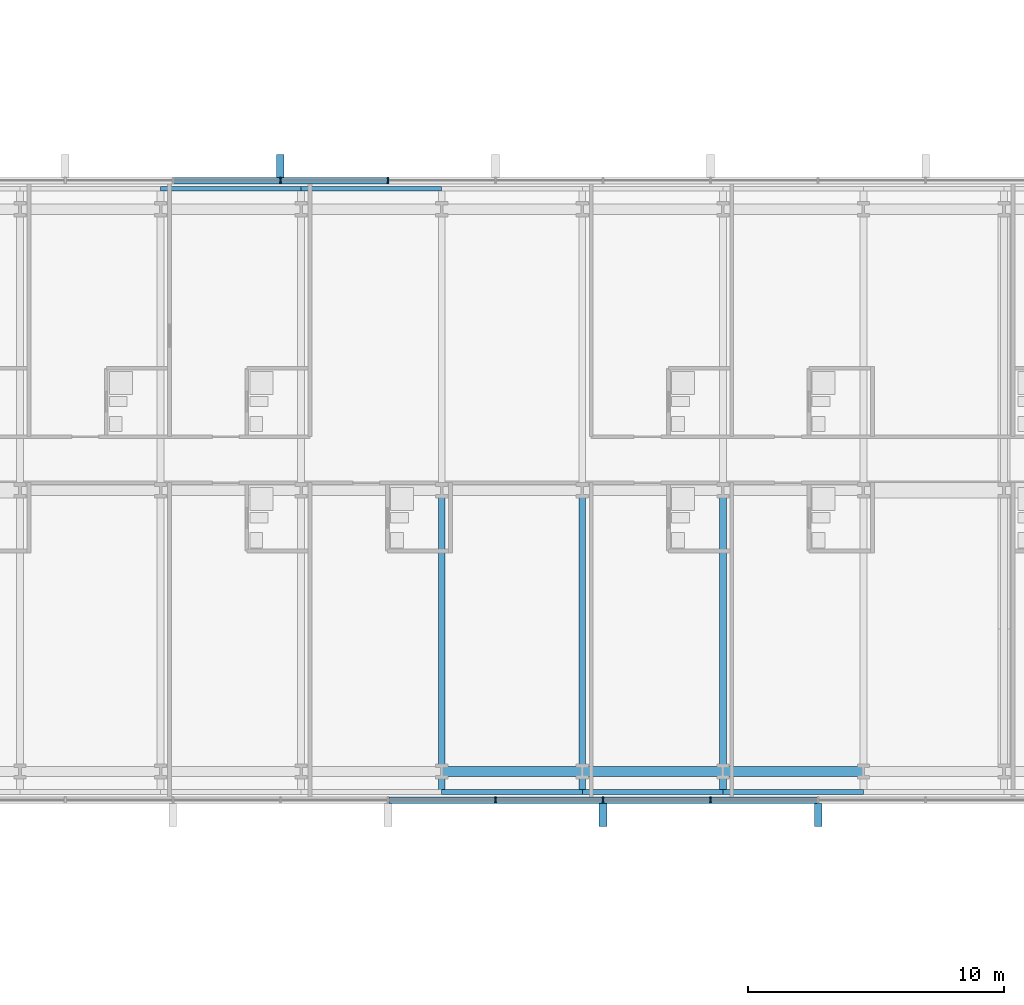
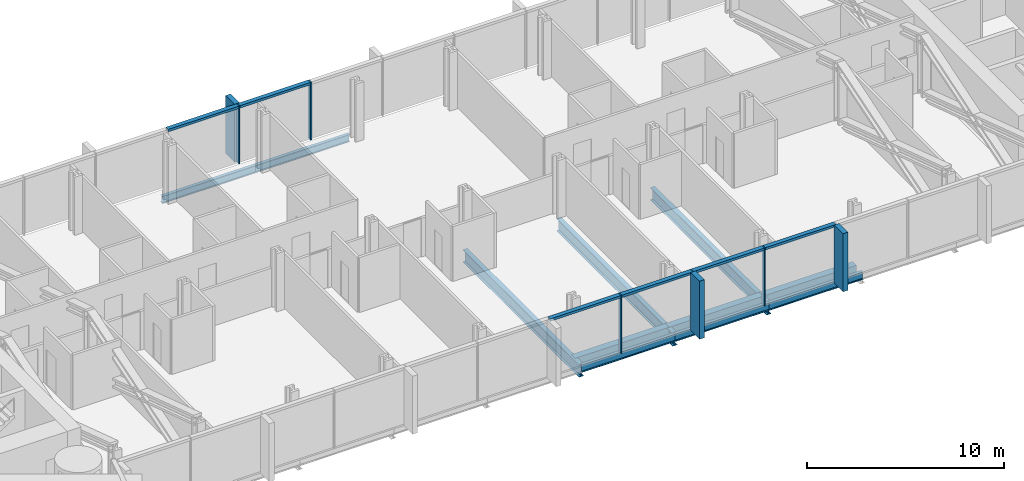
# One storey, part 6 of 22: 14 members, 11 beams, 2 elements without a shape of their own.
"""IFC4 building model written with IfcOpenShell, lengths in metres."""

from ifc_helpers import new_model, si_unit, direction, frame, origin, origin_2d, place, context, subcontext, project, spatial, rectangle, hollow_rectangle, i_section, extrude, material, material_profile, profile_set, type_object, element, aggregate, save


model = new_model("IFC4")

# Units and contexts
model_context = context("Model", 3, precision=1e-05, world=origin(), true_north=direction((0.0, 1.0)))
body_context = subcontext(model_context, "Body", "Model", "MODEL_VIEW")
ifc_project = project(units=[si_unit("LENGTHUNIT", "METRE"), si_unit("AREAUNIT", "SQUARE_METRE"), si_unit("VOLUMEUNIT", "CUBIC_METRE"), si_unit("PLANEANGLEUNIT", "RADIAN"), si_unit("MASSUNIT", "GRAM", prefix="KILO")], contexts=[model_context])

# Site, building, storey
site_placement = place(None, origin())
site = spatial("IfcSite", under=ifc_project, at=site_placement, CompositionType="ELEMENT")
building_placement = place(site_placement, origin())
building = spatial("IfcBuilding", under=site, at=building_placement, Name="Lancet Gate Hotel", CompositionType="ELEMENT")
storey_placement = place(building_placement, frame((0.0, 0.0, 229.699951171875)))
storey = spatial("IfcBuildingStorey", under=building, at=storey_placement, Name="L61", CompositionType="ELEMENT", Elevation=229.699951171875)

# Curtain wall, members
ifc_material_1 = material(Name="Aluminium curtain wall", Category="aluminium")
curtain_wall_type = type_object("IfcCurtainWallType", Name="Bridge block curtain wall", PredefinedType="USERDEFINED", material=ifc_material_1)
curtain_wall_1_placement = place(storey_placement, origin())
curtain_wall_1 = element("IfcCurtainWall", 1, at=curtain_wall_1_placement, inside=storey, type_object=curtain_wall_type, Name="Bridge block L61 curtain wall S", ObjectType="UNITISED CURTAIN WALL", PredefinedType="USERDEFINED")
ifc_material_2 = material(Name="Aluminium mullion", Category="aluminium")
ifc_material_profile_1 = material_profile(ifc_material_2, rectangle(XDim=0.06494140625, YDim=0.25, at=origin_2d()), Name="MULLION 65x250")
ifc_profile_set_1 = profile_set([ifc_material_profile_1], Name="Aluminium mullion")
member_type_1 = type_object("IfcMemberType", Name="Aluminium mullion 65x250", PredefinedType="MULLION", material=ifc_profile_set_1)
member_1_placement = place(storey_placement, frame((2.103759765625, -12.1201171875, 0.0), z_axis=(0.0, 0.0, 1.0), x_axis=(1.0, 0.0, 0.0)))
member_1 = element("IfcMember", 2, at=member_1_placement, type_object=member_type_1, Name="Bridge block L61 curtain wall S mullion 8", PredefinedType="MULLION", context=body_context, shape_type="SweptSolid", body=[
    extrude(rectangle(XDim=0.06494140625, YDim=0.25, at=origin_2d()), origin(), (0.0, 0.0, 1.0), 3.60009765625),
])
member_2_placement = place(storey_placement, frame((6.3115234375, -12.1201171875, 0.0), z_axis=(0.0, 0.0, 1.0), x_axis=(1.0, 0.0, 0.0)))
member_2 = element("IfcMember", 3, at=member_2_placement, type_object=member_type_1, Name="Bridge block L61 curtain wall S mullion 9", PredefinedType="MULLION", context=body_context, shape_type="SweptSolid", body=[
    extrude(rectangle(XDim=0.06494140625, YDim=0.25, at=origin_2d()), origin(), (0.0, 0.0, 1.0), 3.60009765625),
])
member_3_placement = place(storey_placement, frame((10.519287109375, -12.1201171875, 0.0), z_axis=(0.0, 0.0, 1.0), x_axis=(1.0, 0.0, 0.0)))
member_3 = element("IfcMember", 4, at=member_3_placement, type_object=member_type_1, Name="Bridge block L61 curtain wall S mullion 10", PredefinedType="MULLION", context=body_context, shape_type="SweptSolid", body=[
    extrude(rectangle(XDim=0.06494140625, YDim=0.25, at=origin_2d()), origin(), (0.0, 0.0, 1.0), 3.60009765625),
])

curtain_wall_2_placement = place(storey_placement, origin())
curtain_wall_2 = element("IfcCurtainWall", 5, at=curtain_wall_2_placement, inside=storey, type_object=curtain_wall_type, Name="Bridge block L61 curtain wall N", ObjectType="UNITISED CURTAIN WALL", PredefinedType="USERDEFINED")
member_4_placement = place(storey_placement, frame((-2.103759765625, 12.1201171875, 0.0), z_axis=(0.0, 0.0, 1.0), x_axis=(-1.0, 0.0, 0.0)))
member_4 = element("IfcMember", 6, at=member_4_placement, type_object=member_type_1, Name="Bridge block L61 curtain wall N mullion 8", PredefinedType="MULLION", context=body_context, shape_type="SweptSolid", body=[
    extrude(rectangle(XDim=0.06494140625, YDim=0.25, at=origin_2d()), origin(), (0.0, 0.0, 1.0), 3.60009765625),
])
member_5_placement = place(storey_placement, frame((-6.3115234375, 12.1201171875, 0.0), z_axis=(0.0, 0.0, 1.0), x_axis=(-1.0, 0.0, 0.0)))
member_5 = element("IfcMember", 7, at=member_5_placement, type_object=member_type_1, Name="Bridge block L61 curtain wall N mullion 9", PredefinedType="MULLION", context=body_context, shape_type="SweptSolid", body=[
    extrude(rectangle(XDim=0.06494140625, YDim=0.25, at=origin_2d()), origin(), (0.0, 0.0, 1.0), 3.60009765625),
])

# Member
ifc_material_3 = material(Name="Aluminium transom", Category="aluminium")
ifc_material_profile_2 = material_profile(ifc_material_3, rectangle(XDim=0.25, YDim=0.14990234375, at=origin_2d()), Name="TRANSOM 250x150")
ifc_profile_set_2 = profile_set([ifc_material_profile_2], Name="Aluminium transom")
member_type_2 = type_object("IfcMemberType", Name="Aluminium transom 250x150", PredefinedType="USERDEFINED", material=ifc_profile_set_2)
member_6_placement = place(storey_placement, frame((-2.0712890625, -12.1201171875, 3.525146484375), z_axis=(1.0, 0.0, 0.0), x_axis=(0.0, 1.0, 0.0)))
member_6 = element("IfcMember", 8, at=member_6_placement, type_object=member_type_2, Name="Bridge block L61 curtain wall S transom 7", ObjectType="TRANSOM", PredefinedType="USERDEFINED", context=body_context, shape_type="SweptSolid", body=[
    extrude(rectangle(XDim=0.25, YDim=0.14990234375, at=origin_2d()), origin(), (0.0, 0.0, 1.0), 4.142578125),
])

member_7_placement = place(storey_placement, frame((2.13623046875, -12.1201171875, 3.525146484375), z_axis=(1.0, 0.0, 0.0), x_axis=(0.0, 1.0, 0.0)))
member_7 = element("IfcMember", 9, at=member_7_placement, type_object=member_type_2, Name="Bridge block L61 curtain wall S transom 8", ObjectType="TRANSOM", PredefinedType="USERDEFINED", context=body_context, shape_type="SweptSolid", body=[
    extrude(rectangle(XDim=0.25, YDim=0.14990234375, at=origin_2d()), origin(), (0.0, 0.0, 1.0), 4.142822265625),
])

member_8_placement = place(storey_placement, frame((6.343994140625, -12.1201171875, 3.525146484375), z_axis=(1.0, 0.0, 0.0), x_axis=(0.0, 1.0, 0.0)))
member_8 = element("IfcMember", 10, at=member_8_placement, type_object=member_type_2, Name="Bridge block L61 curtain wall S transom 9", ObjectType="TRANSOM", PredefinedType="USERDEFINED", context=body_context, shape_type="SweptSolid", body=[
    extrude(rectangle(XDim=0.25, YDim=0.14990234375, at=origin_2d()), origin(), (0.0, 0.0, 1.0), 4.142822265625),
])

member_9_placement = place(storey_placement, frame((10.5517578125, -12.1201171875, 3.525146484375), z_axis=(1.0, 0.0, 0.0), x_axis=(0.0, 1.0, 0.0)))
member_9 = element("IfcMember", 11, at=member_9_placement, type_object=member_type_2, Name="Bridge block L61 curtain wall S transom 10", ObjectType="TRANSOM", PredefinedType="USERDEFINED", context=body_context, shape_type="SweptSolid", body=[
    extrude(rectangle(XDim=0.25, YDim=0.14990234375, at=origin_2d()), origin(), (0.0, 0.0, 1.0), 4.142578125),
])

member_10_placement = place(storey_placement, frame((-2.13623046875, 12.1201171875, 3.525146484375), z_axis=(-1.0, 0.0, 0.0), x_axis=(0.0, -1.0, 0.0)))
member_10 = element("IfcMember", 12, at=member_10_placement, type_object=member_type_2, Name="Bridge block L61 curtain wall N transom 8", ObjectType="TRANSOM", PredefinedType="USERDEFINED", context=body_context, shape_type="SweptSolid", body=[
    extrude(rectangle(XDim=0.25, YDim=0.14990234375, at=origin_2d()), origin(), (0.0, 0.0, 1.0), 4.142822265625),
])

member_11_placement = place(storey_placement, frame((-6.343994140625, 12.1201171875, 3.525146484375), z_axis=(-1.0, 0.0, 0.0), x_axis=(0.0, -1.0, 0.0)))
member_11 = element("IfcMember", 13, at=member_11_placement, type_object=member_type_2, Name="Bridge block L61 curtain wall N transom 9", ObjectType="TRANSOM", PredefinedType="USERDEFINED", context=body_context, shape_type="SweptSolid", body=[
    extrude(rectangle(XDim=0.25, YDim=0.14990234375, at=origin_2d()), origin(), (0.0, 0.0, 1.0), 4.142822265625),
])

# Beams
ifc_material_4 = material(Name="Steel S355", Category="steel")
ifc_material_profile_3 = material_profile(ifc_material_4, i_section(OverallWidth=0.19140625, OverallDepth=0.4599609375, WebThickness=0.010009765625, FlangeThickness=0.01611328125, FilletRadius=0.01025390625, at=origin_2d()), Name="UKB 457x191x82")
ifc_profile_set_3 = profile_set([ifc_material_profile_3], Name="Steel S355")
beam_type_1 = type_object("IfcBeamType", Name="Block edge beam UKB 457x191x82", PredefinedType="SPANDREL", material=ifc_profile_set_3)
for number, where, z_axis, x_axis, name in (
    (14, (-11.0, 11.800048828125, -0.429931640625), (1.0, 0.0, 0.0), (0.0, 1.0, 0.0), "Block edge beam N 3-4 L61"),
    (15, (-5.5, 11.800048828125, -0.429931640625), (1.0, 0.0, 0.0), (0.0, 1.0, 0.0), "Block edge beam N 4-5 L61"),
    (16, (0.0, -11.800048828125, -0.429931640625), (1.0, 0.0, 0.0), (0.0, 1.0, 0.0), "Block edge beam S 5-6 L61"),
    (17, (5.5, -11.800048828125, -0.429931640625), (1.0, 0.0, 0.0), (0.0, 1.0, 0.0), "Block edge beam S 6-7 L61"),
    (18, (11.0, -11.800048828125, -0.429931640625), (1.0, 0.0, 0.0), (0.0, 1.0, 0.0), "Block edge beam S 7-8 L61"),
):
    element("IfcBeam", number, at=place(storey_placement, frame(where, z_axis=z_axis, x_axis=x_axis)), inside=storey, type_object=beam_type_1, Name=name, PredefinedType="SPANDREL", context=body_context, shape_type="SweptSolid", body=[
        extrude(i_section(OverallWidth=0.19140625, OverallDepth=0.4599609375, WebThickness=0.010009765625, FlangeThickness=0.01611328125, FilletRadius=0.01025390625, at=origin_2d()), origin(), (0.0, 0.0, 1.0), 5.5),
    ])
ifc_material_5 = material(Name="Steel S355", Category="steel")
ifc_material_profile_4 = material_profile(ifc_material_5, hollow_rectangle(XDim=0.39990234375, YDim=0.89990234375, WallThickness=0.0400390625, at=origin_2d()), Name="BOX 900x400x40")
ifc_profile_set_4 = profile_set([ifc_material_profile_4], Name="Steel S355")
beam_type_2 = type_object("IfcBeamType", Name="Block primary beam BOX 900x400x40", PredefinedType="BEAM", material=ifc_profile_set_4)
for number, where, z_axis, x_axis, name in (
    (19, (0.0, -11.0, -0.64990234375), (1.0, 0.0, 0.0), (0.0, 1.0, 0.0), "Block primary beam S 6 L61"),
    (20, (5.5, -11.0, -0.64990234375), (1.0, 0.0, 0.0), (0.0, 1.0, 0.0), "Block primary beam S 7 L61"),
    (21, (11.0, -11.0, -0.64990234375), (1.0, 0.0, 0.0), (0.0, 1.0, 0.0), "Block primary beam S 8 L61"),
):
    element("IfcBeam", number, at=place(storey_placement, frame(where, z_axis=z_axis, x_axis=x_axis)), inside=storey, type_object=beam_type_2, Name=name, PredefinedType="BEAM", context=body_context, shape_type="SweptSolid", body=[
        extrude(hollow_rectangle(XDim=0.39990234375, YDim=0.89990234375, WallThickness=0.0400390625, at=origin_2d()), origin(), (0.0, 0.0, 1.0), 5.5),
    ])
ifc_material_6 = material(Name="Steel S355", Category="steel")
ifc_material_profile_5 = material_profile(ifc_material_6, i_section(OverallWidth=0.26806640625, OverallDepth=0.769775390625, WebThickness=0.015625, FlangeThickness=0.025390625, FilletRadius=0.0166015625, at=origin_2d()), Name="UKB 762x267x197")
ifc_profile_set_5 = profile_set([ifc_material_profile_5], Name="Steel S355")
beam_type_3 = type_object("IfcBeamType", Name="Block secondary beam UKB 762x267x197", PredefinedType="JOIST", material=ifc_profile_set_5)
for number, where, z_axis, x_axis, name in (
    (22, (0.0, -11.800048828125, -0.5849609375), (0.0, 1.0, 0.0), (-1.0, 0.0, 0.0), "Block beam x5 S L61"),
    (23, (5.5, -11.800048828125, -0.5849609375), (0.0, 1.0, 0.0), (-1.0, 0.0, 0.0), "Block beam x6 S L61"),
    (24, (11.0, -11.800048828125, -0.5849609375), (0.0, 1.0, 0.0), (-1.0, 0.0, 0.0), "Block beam x7 S L61"),
):
    element("IfcBeam", number, at=place(storey_placement, frame(where, z_axis=z_axis, x_axis=x_axis)), inside=storey, type_object=beam_type_3, Name=name, PredefinedType="JOIST", context=body_context, shape_type="SweptSolid", body=[
        extrude(i_section(OverallWidth=0.26806640625, OverallDepth=0.769775390625, WebThickness=0.015625, FlangeThickness=0.025390625, FilletRadius=0.0166015625, at=origin_2d()), origin(), (0.0, 0.0, 1.0), 11.800048828125),
    ])

# Member
ifc_material_7 = material(Name="Precast concrete C50/60", Category="concrete")
ifc_material_profile_6 = material_profile(ifc_material_7, rectangle(XDim=0.300048828125, YDim=0.89990234375, at=origin_2d()), Name="FIN 300x900")
ifc_profile_set_6 = profile_set([ifc_material_profile_6], Name="Precast concrete C50/60")
member_type_3 = type_object("IfcMemberType", Name="Exposed concrete fin 300x900", PredefinedType="USERDEFINED", material=ifc_profile_set_6)
member_12_placement = place(storey_placement, frame((6.3115234375, -12.695068359375, 0.0), z_axis=(0.0, 0.0, 1.0), x_axis=(1.0, 0.0, 0.0)))
member_12 = element("IfcMember", 25, at=member_12_placement, type_object=member_type_3, Name="Bridge block L61 curtain wall S fin 9", ObjectType="FIN", PredefinedType="USERDEFINED", context=body_context, shape_type="SweptSolid", body=[
    extrude(rectangle(XDim=0.300048828125, YDim=0.89990234375, at=origin_2d()), origin(), (0.0, 0.0, 1.0), 3.60009765625),
])

member_13_placement = place(storey_placement, frame((14.726806640625, -12.695068359375, 0.0), z_axis=(0.0, 0.0, 1.0), x_axis=(1.0, 0.0, 0.0)))
member_13 = element("IfcMember", 26, at=member_13_placement, type_object=member_type_3, Name="Bridge block L61 curtain wall S fin 11", ObjectType="FIN", PredefinedType="USERDEFINED", context=body_context, shape_type="SweptSolid", body=[
    extrude(rectangle(XDim=0.300048828125, YDim=0.89990234375, at=origin_2d()), origin(), (0.0, 0.0, 1.0), 3.60009765625),
])

aggregate(curtain_wall_1, [member_1, member_2, member_12, member_3, member_13, member_6, member_7, member_8, member_9])

member_14_placement = place(storey_placement, frame((-6.3115234375, 12.695068359375, 0.0), z_axis=(0.0, 0.0, 1.0), x_axis=(-1.0, 0.0, 0.0)))
member_14 = element("IfcMember", 27, at=member_14_placement, type_object=member_type_3, Name="Bridge block L61 curtain wall N fin 9", ObjectType="FIN", PredefinedType="USERDEFINED", context=body_context, shape_type="SweptSolid", body=[
    extrude(rectangle(XDim=0.300048828125, YDim=0.89990234375, at=origin_2d()), origin(), (0.0, 0.0, 1.0), 3.60009765625),
])

aggregate(curtain_wall_2, [member_4, member_5, member_14, member_10, member_11])

save(model, "model.ifc")
